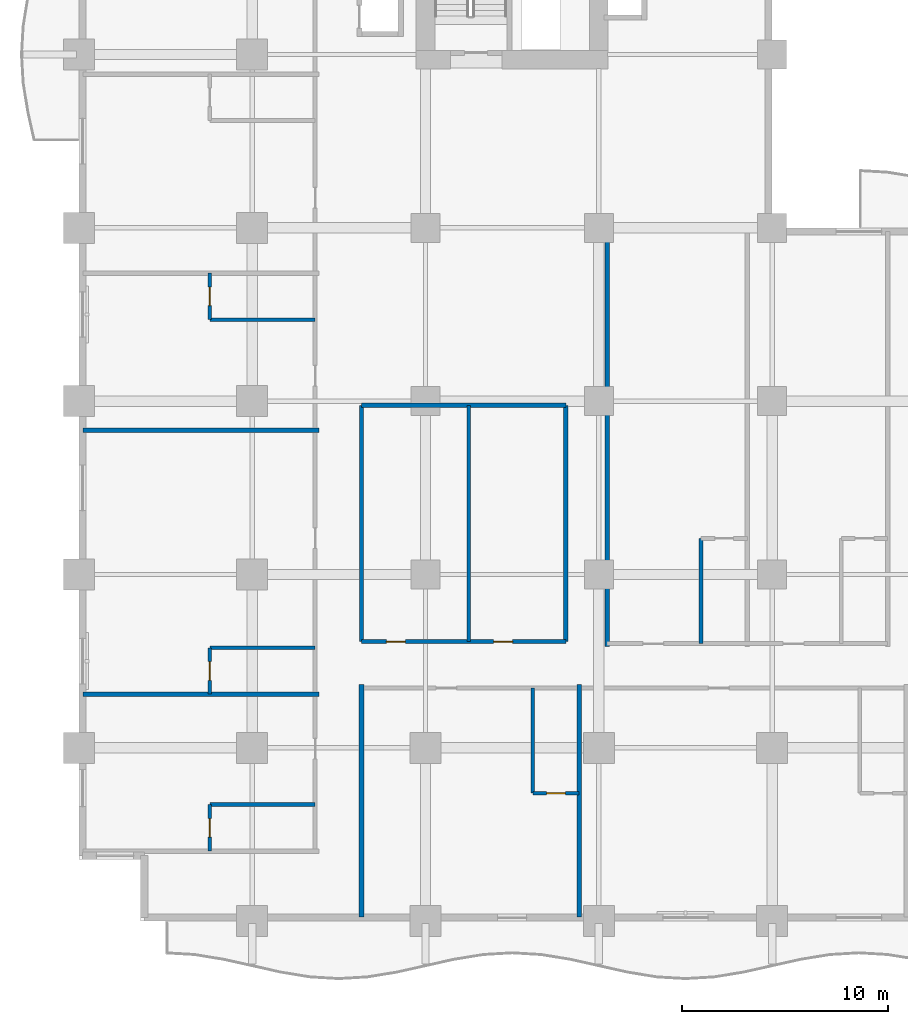
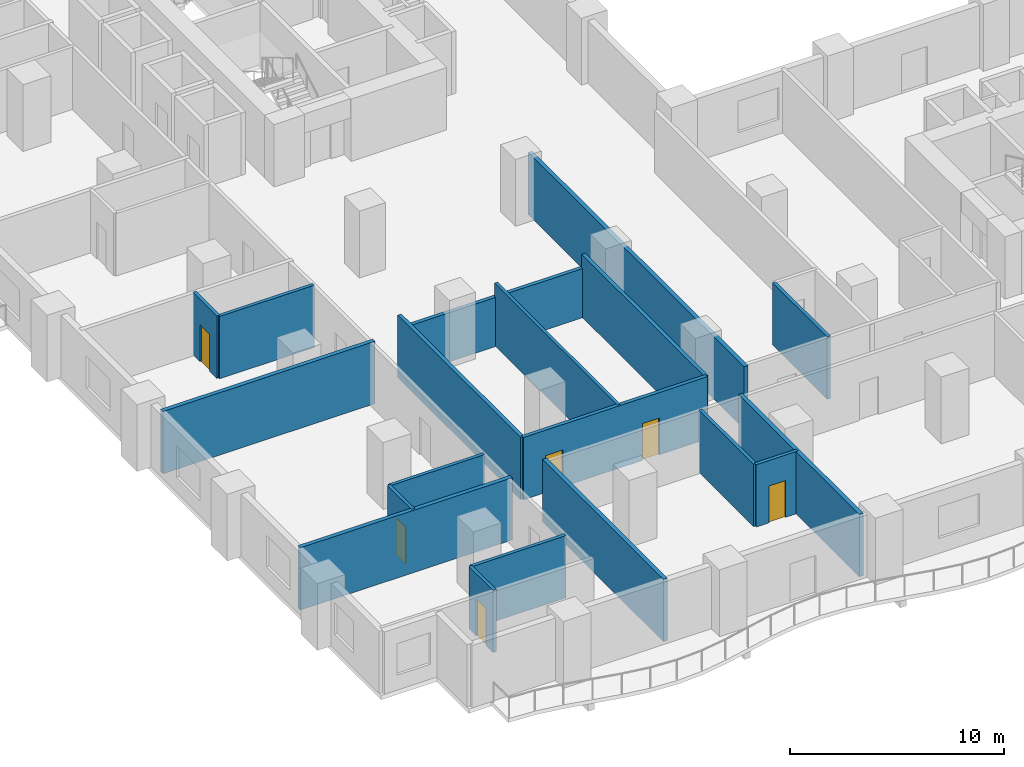
# One storey, part 10 of 27: 19 walls, 6 doors, 6 openings.
"""IFC4 building model written with IfcOpenShell, lengths in metres."""

from ifc_helpers import new_model, si_unit, direction, frame, frame_2d, origin, place, context, subcontext, project, spatial, rectangle, extrude, material, layer, layer_set, type_object, element, fill, save


model = new_model("IFC4")

# Units and contexts
model_context = context("Model", 3, precision=1e-05, world=origin(), true_north=direction((0.0, 1.0)))
body_context = subcontext(model_context, "Body", "Model", "MODEL_VIEW")
ifc_project = project(units=[si_unit("LENGTHUNIT", "METRE"), si_unit("AREAUNIT", "SQUARE_METRE"), si_unit("VOLUMEUNIT", "CUBIC_METRE"), si_unit("PLANEANGLEUNIT", "RADIAN"), si_unit("MASSUNIT", "GRAM", prefix="KILO")], contexts=[model_context])

# Site, building, storey
site_placement = place(None, origin())
site = spatial("IfcSite", under=ifc_project, at=site_placement, CompositionType="ELEMENT")
building_placement = place(site_placement, origin())
building = spatial("IfcBuilding", under=site, at=building_placement, Name="Koriwani Terraces Tower", CompositionType="ELEMENT")
storey_placement = place(building_placement, frame((0.0, 0.0, 70.0)))
storey = spatial("IfcBuildingStorey", under=building, at=storey_placement, Name="L16", CompositionType="ELEMENT", Elevation=70.0)

# Wall, openings, doors
ifc_material_1 = material(Name="Autoclaved Cellular Concrete Blockwork", Category="masonry")
ifc_layer_1 = layer(ifc_material_1, 0.199951171875, Name="Autoclaved Cellular Concrete Blockwork")
ifc_layer_set_1 = layer_set([ifc_layer_1], Name="Autoclaved Cellular Concrete Blockwork")
wall_type_1 = type_object("IfcWallType", Name="WALL_CORRIDOR_200", PredefinedType="PARTITIONING", material=ifc_layer_set_1)
wall_1_placement = place(storey_placement, frame((13.699951171875, 13.550048828125, 0.0), z_axis=(0.0, 0.0, 1.0), x_axis=(1.0, 0.0, 0.0)))
wall_1 = element("IfcWall", 1, at=wall_1_placement, inside=storey, type_object=wall_type_1, Name="L16 Interior Wall WHK-L16-S", PredefinedType="PARTITIONING", context=body_context, shape_type="SweptSolid", body=[
    extrude(rectangle(XDim=9.900146484375, YDim=0.199951171875, at=frame_2d((4.9501953125, 0.0))), origin(), (0.0, 0.0, 1.0), 3.550048828125),
])
opening_1_placement = place(wall_1_placement, frame((1.199951171875, 0.0, 0.0)))
opening_1 = element("IfcOpeningElement", 2, at=opening_1_placement, cuts=wall_1, Name="Opening D-06", PredefinedType="OPENING", context=body_context, shape_type="SweptSolid", body=[
    extrude(rectangle(XDim=0.919921875, YDim=2.10009765625, at=frame_2d((0.4599609375, 1.050048828125))), frame((0.0, 0.10986328125, 0.0), z_axis=(0.0, -1.0, 0.0), x_axis=(1.0, 0.0, 0.0)), (0.0, 0.0, 1.0), 0.219970703125),
])
opening_2_placement = place(wall_1_placement, frame((6.39990234375, 0.0, 0.0)))
opening_2 = element("IfcOpeningElement", 3, at=opening_2_placement, cuts=wall_1, Name="Opening D-06", PredefinedType="OPENING", context=body_context, shape_type="SweptSolid", body=[
    extrude(rectangle(XDim=0.919921875, YDim=2.10009765625, at=frame_2d((0.4599609375, 1.050048828125))), frame((0.0, 0.10986328125, 0.0), z_axis=(0.0, -1.0, 0.0), x_axis=(1.0, 0.0, 0.0)), (0.0, 0.0, 1.0), 0.219970703125),
])
ifc_material_2 = material(Name="Architectural Oak Fire Door", Category="wood")
door_type_1 = type_object("IfcDoorType", Name="DOOR_ROOM_INT_920X2100", OperationType="NOTDEFINED", PredefinedType="DOOR", material=ifc_material_2)
door_1_placement = place(opening_1_placement, origin())
door_1 = element("IfcDoor", 4, at=door_1_placement, inside=storey, type_object=door_type_1, Name="L16 Housekeeping and Linen Room Door", OperationType="SINGLE_SWING_RIGHT", OverallHeight=2.10009765625, OverallWidth=0.919921875, PredefinedType="DOOR", context=body_context, shape_type="SweptSolid", body=[
    extrude(rectangle(XDim=0.919921875, YDim=2.10009765625, at=frame_2d((0.4599609375, 1.050048828125))), frame((0.0, 0.02490234375, 0.0), z_axis=(0.0, -1.0, 0.0), x_axis=(1.0, 0.0, 0.0)), (0.0, 0.0, 1.0), 0.050048828125),
])
fill(opening_1, door_1)
door_2_placement = place(opening_2_placement, origin())
door_2 = element("IfcDoor", 5, at=door_2_placement, inside=storey, type_object=door_type_1, Name="L16 Guest Study Lounge Door", OperationType="SINGLE_SWING_LEFT", OverallHeight=2.10009765625, OverallWidth=0.919921875, PredefinedType="DOOR", context=body_context, shape_type="SweptSolid", body=[
    extrude(rectangle(XDim=0.919921875, YDim=2.10009765625, at=frame_2d((0.4599609375, 1.050048828125))), frame((0.0, 0.02490234375, 0.0), z_axis=(0.0, -1.0, 0.0), x_axis=(1.0, 0.0, 0.0)), (0.0, 0.0, 1.0), 0.050048828125),
])
fill(opening_2, door_2)

# Walls
wall_2_placement = place(storey_placement, frame((13.699951171875, 25.0, 0.0), z_axis=(0.0, 0.0, 1.0), x_axis=(1.0, 0.0, 0.0)))
element("IfcWall", 6, at=wall_2_placement, inside=storey, type_object=wall_type_1, Name="L16 Interior Wall WHK-L16-N", PredefinedType="PARTITIONING", context=body_context, shape_type="SweptSolid", body=[
    extrude(rectangle(XDim=9.900146484375, YDim=0.199951171875, at=frame_2d((4.9501953125, 0.0))), origin(), (0.0, 0.0, 1.0), 2.800048828125),
])
for number, where, z_axis, x_axis, name in (
    (7, (13.699951171875, 13.550048828125, 0.0), (0.0, 0.0, 1.0), (0.0, 1.0, 0.0), "L16 Interior Wall WHK-L16-W"),
    (8, (23.60009765625, 13.550048828125, 0.0), (0.0, 0.0, 1.0), (0.0, 1.0, 0.0), "L16 Interior Wall WHK-L16-E"),
):
    element("IfcWall", number, at=place(storey_placement, frame(where, z_axis=z_axis, x_axis=x_axis)), inside=storey, type_object=wall_type_1, Name=name, PredefinedType="PARTITIONING", context=body_context, shape_type="SweptSolid", body=[
        extrude(rectangle(XDim=11.449951171875, YDim=0.199951171875, at=frame_2d((5.72509765625, 0.0))), origin(), (0.0, 0.0, 1.0), 3.550048828125),
    ])
ifc_layer_2 = layer(ifc_material_1, 0.219970703125, Name="Autoclaved Cellular Concrete Blockwork")
ifc_layer_set_2 = layer_set([ifc_layer_2], Name="Autoclaved Cellular Concrete Blockwork")
wall_type_2 = type_object("IfcWallType", Name="WALL_DEMISING_220", PredefinedType="PARTITIONING", material=ifc_layer_set_2)
wall_3_placement = place(storey_placement, frame((25.60009765625, 13.300048828125, 0.0), z_axis=(0.0, 0.0, 1.0), x_axis=(0.0, 1.0, 0.0)))
element("IfcWall", 9, at=wall_3_placement, inside=storey, type_object=wall_type_2, Name="L16 Interior Wall WDEM-L16-SWI-0", PredefinedType="PARTITIONING", context=body_context, shape_type="SweptSolid", body=[
    extrude(rectangle(XDim=20.1298828125, YDim=0.219970703125, at=frame_2d((10.06494140625, 0.0))), origin(), (0.0, 0.0, 1.0), 3.550048828125),
])
for number, where, z_axis, x_axis, name in (
    (10, (0.199951171875, 11.0, 0.0), (0.0, 0.0, 1.0), (1.0, 0.0, 0.0), "L16 Interior Wall WDEM-L16-NW-1"),
    (11, (0.199951171875, 23.800048828125, 0.0), (0.0, 0.0, 1.0), (1.0, 0.0, 0.0), "L16 Interior Wall WDEM-L16-NW-2"),
):
    element("IfcWall", number, at=place(storey_placement, frame(where, z_axis=z_axis, x_axis=x_axis)), inside=storey, type_object=wall_type_2, Name=name, PredefinedType="PARTITIONING", context=body_context, shape_type="SweptSolid", body=[
        extrude(rectangle(XDim=11.429931640625, YDim=0.219970703125, at=frame_2d((5.71484375, 0.0))), origin(), (0.0, 0.0, 1.0), 3.550048828125),
    ])
for number, where, z_axis, x_axis, name in (
    (12, (13.699951171875, 0.199951171875, 0.0), (0.0, 0.0, 1.0), (0.0, 1.0, 0.0), "L16 Interior Wall WDEM-L16-SW-0"),
    (13, (24.25, 0.199951171875, 0.0), (0.0, 0.0, 1.0), (0.0, 1.0, 0.0), "L16 Interior Wall WDEM-L16-SW-1"),
):
    element("IfcWall", number, at=place(storey_placement, frame(where, z_axis=z_axis, x_axis=x_axis)), inside=storey, type_object=wall_type_2, Name=name, PredefinedType="PARTITIONING", context=body_context, shape_type="SweptSolid", body=[
        extrude(rectangle(XDim=11.280029296875, YDim=0.219970703125, at=frame_2d((5.64013671875, 0.0))), origin(), (0.0, 0.0, 1.0), 3.550048828125),
    ])
ifc_material_3 = material(Name="Fire-Rated Acoustic Gypsum Partition", Category="masonry")
ifc_layer_3 = layer(ifc_material_3, 0.179931640625, Name="Fire-Rated Acoustic Gypsum Partition")
ifc_layer_set_3 = layer_set([ifc_layer_3], Name="Fire-Rated Acoustic Gypsum Partition")
wall_type_3 = type_object("IfcWallType", Name="WALL_PLUMBING_180", PredefinedType="PLUMBINGWALL", material=ifc_layer_set_3)
wall_4_placement = place(storey_placement, frame((30.14990234375, 13.449951171875, 0.0), z_axis=(0.0, 0.0, 1.0), x_axis=(0.0, 1.0, 0.0)))
element("IfcWall", 14, at=wall_4_placement, inside=storey, type_object=wall_type_3, Name="L16 Interior Wall WBTH2-L16-SWI-0", PredefinedType="PLUMBINGWALL", context=body_context, shape_type="SweptSolid", body=[
    extrude(rectangle(XDim=5.10009765625, YDim=0.179931640625, at=frame_2d((2.550048828125, 0.0))), origin(), (0.0, 0.0, 1.0), 3.550048828125),
])

# Wall, opening, door
wall_5_placement = place(storey_placement, frame((6.35009765625, 3.39990234375, 0.0), z_axis=(0.0, 0.0, 1.0), x_axis=(0.0, 1.0, 0.0)))
wall_5 = element("IfcWall", 15, at=wall_5_placement, inside=storey, type_object=wall_type_3, Name="L16 Interior Wall WBTH1-L16-NW-0", PredefinedType="PLUMBINGWALL", context=body_context, shape_type="SweptSolid", body=[
    extrude(rectangle(XDim=2.25, YDim=0.179931640625, at=frame_2d((1.125, 0.0))), origin(), (0.0, 0.0, 1.0), 3.550048828125),
])
opening_3_placement = place(wall_5_placement, frame((0.675048828125, 0.0, 0.0)))
opening_3 = element("IfcOpeningElement", 16, at=opening_3_placement, cuts=wall_5, Name="Opening D-07", PredefinedType="OPENING", context=body_context, shape_type="SweptSolid", body=[
    extrude(rectangle(XDim=0.89990234375, YDim=2.10009765625, at=frame_2d((0.449951171875, 1.050048828125))), frame((0.0, 0.10009765625, 0.0), z_axis=(0.0, -1.0, 0.0), x_axis=(1.0, 0.0, 0.0)), (0.0, 0.0, 1.0), 0.199951171875),
])
door_type_2 = type_object("IfcDoorType", Name="DOOR_BATH_INT_900X2100", OperationType="NOTDEFINED", PredefinedType="DOOR", material=ifc_material_2)
door_3_placement = place(opening_3_placement, origin())
door_3 = element("IfcDoor", 17, at=door_3_placement, inside=storey, type_object=door_type_2, Name="En-Suite Bathroom 16NW1 Door", OperationType="SINGLE_SWING_LEFT", OverallHeight=2.10009765625, OverallWidth=0.89990234375, PredefinedType="DOOR", context=body_context, shape_type="SweptSolid", body=[
    extrude(rectangle(XDim=0.89990234375, YDim=2.10009765625, at=frame_2d((0.449951171875, 1.050048828125))), frame((0.0, 0.02490234375, 0.0), z_axis=(0.0, -1.0, 0.0), x_axis=(1.0, 0.0, 0.0)), (0.0, 0.0, 1.0), 0.050048828125),
])
fill(opening_3, door_3)

# Wall
wall_6_placement = place(storey_placement, frame((6.35009765625, 5.64990234375, 0.0), z_axis=(0.0, 0.0, 1.0), x_axis=(1.0, 0.0, 0.0)))
element("IfcWall", 18, at=wall_6_placement, inside=storey, type_object=wall_type_3, Name="L16 Interior Wall WBTH2-L16-NW-0", PredefinedType="PLUMBINGWALL", context=body_context, shape_type="SweptSolid", body=[
    extrude(rectangle(XDim=5.099853515625, YDim=0.179931640625, at=frame_2d((2.5498046875, 0.0))), origin(), (0.0, 0.0, 1.0), 3.550048828125),
])

# Wall, opening, door
wall_7_placement = place(storey_placement, frame((6.35009765625, 11.0, 0.0), z_axis=(0.0, 0.0, 1.0), x_axis=(0.0, 1.0, 0.0)))
wall_7 = element("IfcWall", 19, at=wall_7_placement, inside=storey, type_object=wall_type_3, Name="L16 Interior Wall WBTH1-L16-NW-1", PredefinedType="PLUMBINGWALL", context=body_context, shape_type="SweptSolid", body=[
    extrude(rectangle(XDim=2.25, YDim=0.179931640625, at=frame_2d((1.125, 0.0))), origin(), (0.0, 0.0, 1.0), 3.550048828125),
])
opening_4_placement = place(wall_7_placement, frame((0.675048828125, 0.0, 0.0)))
opening_4 = element("IfcOpeningElement", 20, at=opening_4_placement, cuts=wall_7, Name="Opening D-07", PredefinedType="OPENING", context=body_context, shape_type="SweptSolid", body=[
    extrude(rectangle(XDim=0.89990234375, YDim=2.10009765625, at=frame_2d((0.449951171875, 1.050048828125))), frame((0.0, 0.10009765625, 0.0), z_axis=(0.0, -1.0, 0.0), x_axis=(1.0, 0.0, 0.0)), (0.0, 0.0, 1.0), 0.199951171875),
])
door_4_placement = place(opening_4_placement, origin())
door_4 = element("IfcDoor", 21, at=door_4_placement, inside=storey, type_object=door_type_2, Name="En-Suite Bathroom 16NW2 Door", OperationType="SINGLE_SWING_LEFT", OverallHeight=2.10009765625, OverallWidth=0.89990234375, PredefinedType="DOOR", context=body_context, shape_type="SweptSolid", body=[
    extrude(rectangle(XDim=0.89990234375, YDim=2.10009765625, at=frame_2d((0.449951171875, 1.050048828125))), frame((0.0, 0.02490234375, 0.0), z_axis=(0.0, -1.0, 0.0), x_axis=(1.0, 0.0, 0.0)), (0.0, 0.0, 1.0), 0.050048828125),
])
fill(opening_4, door_4)

# Wall
wall_8_placement = place(storey_placement, frame((6.35009765625, 13.25, 0.0), z_axis=(0.0, 0.0, 1.0), x_axis=(1.0, 0.0, 0.0)))
element("IfcWall", 22, at=wall_8_placement, inside=storey, type_object=wall_type_3, Name="L16 Interior Wall WBTH2-L16-NW-1", PredefinedType="PLUMBINGWALL", context=body_context, shape_type="SweptSolid", body=[
    extrude(rectangle(XDim=5.099853515625, YDim=0.179931640625, at=frame_2d((2.5498046875, 0.0))), origin(), (0.0, 0.0, 1.0), 3.550048828125),
])

# Wall, opening, door
wall_9_placement = place(storey_placement, frame((6.35009765625, 29.14990234375, 0.0), z_axis=(0.0, 0.0, 1.0), x_axis=(0.0, 1.0, 0.0)))
wall_9 = element("IfcWall", 23, at=wall_9_placement, inside=storey, type_object=wall_type_3, Name="L16 Interior Wall WBTH1-L16-NW-2", PredefinedType="PLUMBINGWALL", context=body_context, shape_type="SweptSolid", body=[
    extrude(rectangle(XDim=2.25, YDim=0.179931640625, at=frame_2d((1.125, 0.0))), origin(), (0.0, 0.0, 1.0), 3.550048828125),
])
opening_5_placement = place(wall_9_placement, frame((0.675048828125, 0.0, 0.0)))
opening_5 = element("IfcOpeningElement", 24, at=opening_5_placement, cuts=wall_9, Name="Opening D-07", PredefinedType="OPENING", context=body_context, shape_type="SweptSolid", body=[
    extrude(rectangle(XDim=0.89990234375, YDim=2.10009765625, at=frame_2d((0.449951171875, 1.050048828125))), frame((0.0, 0.10009765625, 0.0), z_axis=(0.0, -1.0, 0.0), x_axis=(1.0, 0.0, 0.0)), (0.0, 0.0, 1.0), 0.199951171875),
])
door_5_placement = place(opening_5_placement, origin())
door_5 = element("IfcDoor", 25, at=door_5_placement, inside=storey, type_object=door_type_2, Name="En-Suite Bathroom 16NW3 Door", OperationType="SINGLE_SWING_LEFT", OverallHeight=2.10009765625, OverallWidth=0.89990234375, PredefinedType="DOOR", context=body_context, shape_type="SweptSolid", body=[
    extrude(rectangle(XDim=0.89990234375, YDim=2.10009765625, at=frame_2d((0.449951171875, 1.050048828125))), frame((0.0, 0.02490234375, 0.0), z_axis=(0.0, -1.0, 0.0), x_axis=(1.0, 0.0, 0.0)), (0.0, 0.0, 1.0), 0.050048828125),
])
fill(opening_5, door_5)

# Wall
wall_10_placement = place(storey_placement, frame((6.35009765625, 29.14990234375, 0.0), z_axis=(0.0, 0.0, 1.0), x_axis=(1.0, 0.0, 0.0)))
element("IfcWall", 26, at=wall_10_placement, inside=storey, type_object=wall_type_3, Name="L16 Interior Wall WBTH2-L16-NW-2", PredefinedType="PLUMBINGWALL", context=body_context, shape_type="SweptSolid", body=[
    extrude(rectangle(XDim=5.099853515625, YDim=0.179931640625, at=frame_2d((2.5498046875, 0.0))), origin(), (0.0, 0.0, 1.0), 3.550048828125),
])

# Wall, opening, door
wall_11_placement = place(storey_placement, frame((22.0, 6.199951171875, 0.0), z_axis=(0.0, 0.0, 1.0), x_axis=(1.0, 0.0, 0.0)))
wall_11 = element("IfcWall", 27, at=wall_11_placement, inside=storey, type_object=wall_type_3, Name="L16 Interior Wall WBTH1-L16-SW-0", PredefinedType="PLUMBINGWALL", context=body_context, shape_type="SweptSolid", body=[
    extrude(rectangle(XDim=2.25, YDim=0.179931640625, at=frame_2d((1.125, 0.0))), origin(), (0.0, 0.0, 1.0), 3.550048828125),
])
opening_6_placement = place(wall_11_placement, frame((0.675048828125, 0.0, 0.0)))
opening_6 = element("IfcOpeningElement", 28, at=opening_6_placement, cuts=wall_11, Name="Opening D-07", PredefinedType="OPENING", context=body_context, shape_type="SweptSolid", body=[
    extrude(rectangle(XDim=0.89990234375, YDim=2.10009765625, at=frame_2d((0.449951171875, 1.050048828125))), frame((0.0, 0.10009765625, 0.0), z_axis=(0.0, -1.0, 0.0), x_axis=(1.0, 0.0, 0.0)), (0.0, 0.0, 1.0), 0.199951171875),
])
door_6_placement = place(opening_6_placement, origin())
door_6 = element("IfcDoor", 29, at=door_6_placement, inside=storey, type_object=door_type_2, Name="En-Suite Bathroom 16SW1 Door", OperationType="SINGLE_SWING_LEFT", OverallHeight=2.10009765625, OverallWidth=0.89990234375, PredefinedType="DOOR", context=body_context, shape_type="SweptSolid", body=[
    extrude(rectangle(XDim=0.89990234375, YDim=2.10009765625, at=frame_2d((0.449951171875, 1.050048828125))), frame((0.0, 0.02490234375, 0.0), z_axis=(0.0, -1.0, 0.0), x_axis=(1.0, 0.0, 0.0)), (0.0, 0.0, 1.0), 0.050048828125),
])
fill(opening_6, door_6)

# Walls
wall_12_placement = place(storey_placement, frame((22.0, 6.199951171875, 0.0), z_axis=(0.0, 0.0, 1.0), x_axis=(0.0, 1.0, 0.0)))
element("IfcWall", 30, at=wall_12_placement, inside=storey, type_object=wall_type_3, Name="L16 Interior Wall WBTH2-L16-SW-0", PredefinedType="PLUMBINGWALL", context=body_context, shape_type="SweptSolid", body=[
    extrude(rectangle(XDim=5.10009765625, YDim=0.179931640625, at=frame_2d((2.550048828125, 0.0))), origin(), (0.0, 0.0, 1.0), 3.550048828125),
])
ifc_layer_4 = layer(ifc_material_3, 0.159912109375, Name="Fire-Rated Acoustic Gypsum Partition")
ifc_layer_set_4 = layer_set([ifc_layer_4], Name="Fire-Rated Acoustic Gypsum Partition")
wall_type_4 = type_object("IfcWallType", Name="WALL_SUITE_160", PredefinedType="PARTITIONING", material=ifc_layer_set_4)
wall_13_placement = place(storey_placement, frame((18.89990234375, 13.550048828125, 0.0), z_axis=(0.0, 0.0, 1.0), x_axis=(0.0, 1.0, 0.0)))
element("IfcWall", 31, at=wall_13_placement, inside=storey, type_object=wall_type_4, Name="L16 Interior Wall WHK-L16-M", PredefinedType="PARTITIONING", context=body_context, shape_type="SweptSolid", body=[
    extrude(rectangle(XDim=11.449951171875, YDim=0.159912109375, at=frame_2d((5.72509765625, 0.0))), origin(), (0.0, 0.0, 1.0), 3.550048828125),
])

save(model, "model.ifc")
